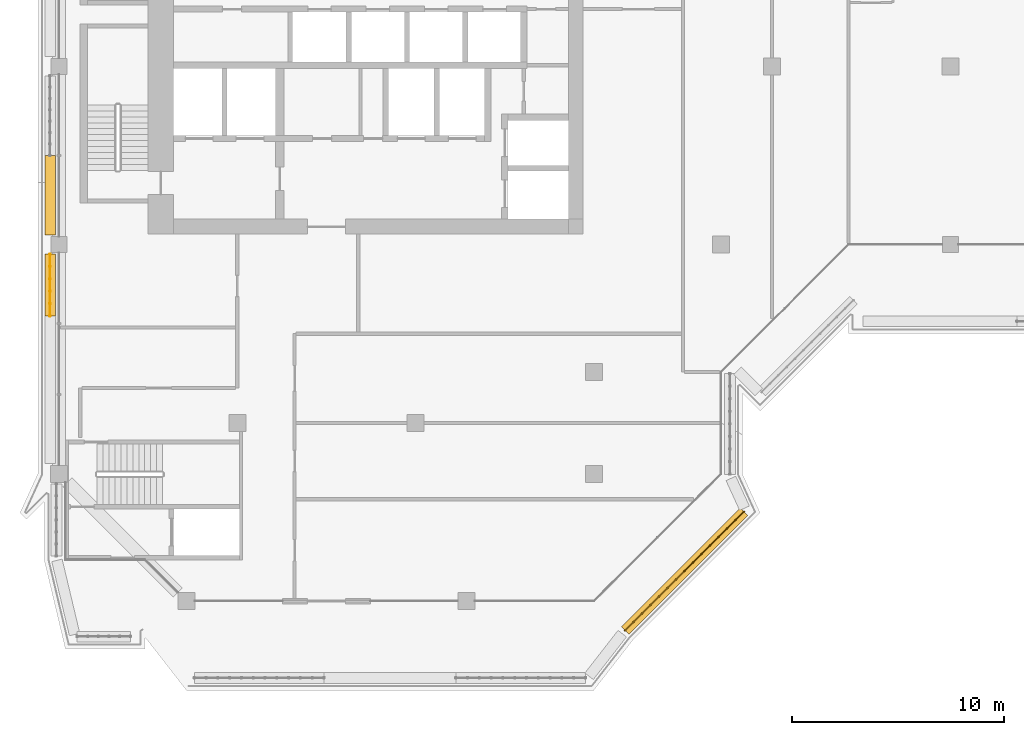
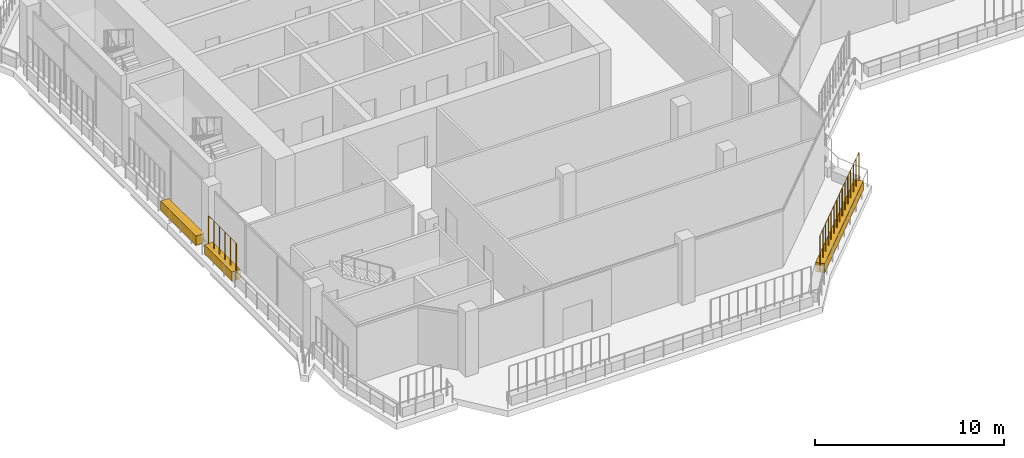
# One storey, part 15 of 20: 3 coverings, 2 railings.
"""IFC4 building model written with IfcOpenShell, lengths in metres."""

import ifcopenshell
import ifcopenshell.guid

model = None  # the IFC model being written
_history = None  # IfcOwnerHistory: only IFC2X3 demands one
_inside = {}  # id of a spatial element -> (the spatial element, [elements in it])
_under = {}  # id of a project, library or spatial element -> (it, [spatial elements below it])
_declared = {}  # id of a project -> (the project, [libraries it declares])
_typed = {}  # id of a type object -> (the type object, [elements of that type])
_made_of = {}  # id of a material, layer set ... -> (it, [elements and type objects made of it])


def new_model(schema):
    """Start an empty IFC model of exactly this schema.

    Asked for "IFC4X3", IfcOpenShell would pick the latest addendum, in which some entities
    have other attributes; the version numbers below select the first issue.
    IFC2X3 requires an IfcOwnerHistory on every rooted entity: one is made here for all.
    """
    global model, _history
    if schema == "IFC4X3":
        model = ifcopenshell.file(schema_version=(4, 3, 0, 0))
    else:
        model = ifcopenshell.file(schema=schema)
    _inside.clear()
    _under.clear()
    _declared.clear()
    _typed.clear()
    _made_of.clear()
    _history = None
    if model.schema == "IFC2X3":
        org = make("IfcOrganization", Name="unknown")
        user = make(
            "IfcPersonAndOrganization",
            ThePerson=make("IfcPerson", FamilyName="unknown"),
            TheOrganization=org,
        )
        app = make(
            "IfcApplication",
            ApplicationDeveloper=org,
            Version="unknown",
            ApplicationFullName="unknown",
            ApplicationIdentifier="unknown",
        )
        _history = make(
            "IfcOwnerHistory",
            OwningUser=user,
            OwningApplication=app,
            ChangeAction="ADDED",
            CreationDate=0,
        )
    return model


def make(cls, **values):
    """One entity of the class cls with the attributes given. An attribute that is None is left unset."""
    return model.create_entity(
        cls, **{name: value for name, value in values.items() if value is not None}
    )


def rooted(cls, **values):
    """An entity with a GlobalId (a new one), such as an element, a storey or a relation."""
    return make(cls, GlobalId=ifcopenshell.guid.new(), OwnerHistory=_history, **values)


def si_unit(unit_type, name, prefix=None):
    """IfcSIUnit, for example si_unit("LENGTHUNIT", "METRE", prefix="MILLI")."""
    return make("IfcSIUnit", UnitType=unit_type, Prefix=prefix, Name=name)


def assignment(units):
    """IfcUnitAssignment: the units of a project."""
    return None if units is None else make("IfcUnitAssignment", Units=units)


def point(xyz):
    """IfcCartesianPoint."""
    return None if xyz is None else make("IfcCartesianPoint", Coordinates=xyz)


def direction(xyz):
    """IfcDirection."""
    return None if xyz is None else make("IfcDirection", DirectionRatios=xyz)


def frame(location, z_axis=None, x_axis=None):
    """IfcAxis2Placement3D, a coordinate frame: its origin and axes. An axis left out is left unset."""
    return make(
        "IfcAxis2Placement3D",
        Location=point(location),
        Axis=direction(z_axis),
        RefDirection=direction(x_axis),
    )


def frame_2d(location, x_axis=None):
    """IfcAxis2Placement2D, a coordinate frame in the plane: its origin and x axis."""
    return make(
        "IfcAxis2Placement2D", Location=point(location), RefDirection=direction(x_axis)
    )


def origin():
    """The frame at (0, 0, 0) with its axes left unset."""
    return frame((0.0, 0.0, 0.0))


def origin_2d():
    """The frame at (0, 0) in the plane with its x axis left unset."""
    return frame_2d((0.0, 0.0))


def place(relative_to, where):
    """IfcLocalPlacement: puts the frame where relative to a parent placement (None: the world)."""
    return make(
        "IfcLocalPlacement", PlacementRelTo=relative_to, RelativePlacement=where
    )


def context(
    kind, dimensions, precision=None, world=None, true_north=None, identifier=None
):
    """IfcGeometricRepresentationContext, for example the 3D "Model" context."""
    return make(
        "IfcGeometricRepresentationContext",
        ContextIdentifier=identifier,
        ContextType=kind,
        CoordinateSpaceDimension=dimensions,
        Precision=precision,
        WorldCoordinateSystem=world,
        TrueNorth=true_north,
    )


def subcontext(parent, identifier, kind, view, scale=None):
    """IfcGeometricRepresentationSubContext, for example "Body" below "Model"."""
    return make(
        "IfcGeometricRepresentationSubContext",
        ContextIdentifier=identifier,
        ContextType=kind,
        ParentContext=parent,
        TargetScale=scale,
        TargetView=view,
    )


def project(units=None, contexts=None):
    """IfcProject with its units and contexts."""
    return rooted(
        "IfcProject",
        Name="project",
        RepresentationContexts=contexts,
        UnitsInContext=assignment(units),
    )


def spatial(cls, under=None, at=None, **own):
    """A site, building, storey or space (cls), placed at a placement, below another one or the project."""
    s = rooted(cls, ObjectPlacement=at, **own)
    if under is not None:
        _under.setdefault(under.id(), (under, []))[1].append(s)
    return s


def profile(cls, at=None, kind="AREA", **sizes):
    """A parametric profile (cls). Its sizes go by their IFC names, for example OverallWidth=200.0."""
    return make(cls, ProfileType=kind, Position=at, **sizes)


def rectangle(**sizes):
    """IfcRectangleProfileDef."""
    return profile("IfcRectangleProfileDef", **sizes)


def circle(**sizes):
    """IfcCircleProfileDef."""
    return profile("IfcCircleProfileDef", **sizes)


def extrude(swept, where, along, depth):
    """IfcExtrudedAreaSolid: the profile swept, set in the frame where, extruded along a direction by depth."""
    return make(
        "IfcExtrudedAreaSolid",
        SweptArea=swept,
        Position=where,
        ExtrudedDirection=direction(along),
        Depth=depth,
    )


def shape(context_of_items, identifier, shape_type, items):
    """IfcShapeRepresentation: the items that make up one representation, for example the "Body"."""
    return make(
        "IfcShapeRepresentation",
        ContextOfItems=context_of_items,
        RepresentationIdentifier=identifier,
        RepresentationType=shape_type,
        Items=items,
    )


def material(Name=None, Category=None):
    """IfcMaterial."""
    return make("IfcMaterial", Name=Name, Category=Category)


def material_profile(
    of_material, cross_section, Name=None, Category=None, Priority=None
):
    """IfcMaterialProfile: a cross section and its material."""
    return make(
        "IfcMaterialProfile",
        Name=Name,
        Material=of_material,
        Profile=cross_section,
        Priority=Priority,
        Category=Category,
    )


def profile_set(profiles, Name=None, composite=None):
    """IfcMaterialProfileSet."""
    return make(
        "IfcMaterialProfileSet",
        Name=Name,
        MaterialProfiles=profiles,
        CompositeProfile=composite,
    )


def made_of(thing, what):
    """Note that an element or type object is made of a material, layer set ...; save() writes the relation."""
    if what is not None:
        _made_of.setdefault(what.id(), (what, []))[1].append(thing)
    return thing


def type_object(cls, material=None, **own):
    """A type object (cls), such as IfcWallType, which elements share."""
    return made_of(rooted(cls, **own), material)


def element(
    cls,
    number,
    at=None,
    inside=None,
    cuts=None,
    type_object=None,
    material=None,
    context=None,
    identifier="Body",
    shape_type=None,
    held_by="IfcProductDefinitionShape",
    body=None,
    shapes=None,
    **own,
):
    """One element of the class cls, such as IfcWall. Its Tag is "e" and its number.

    at: its placement. inside: the storey or other place that contains it. cuts: it is an
    opening in that element (IfcRelVoidsElement). A single representation is given by context,
    identifier, shape_type and body (its items); several are given by shapes. held_by: the class
    of the entity that holds the representations. save() writes the other relations.
    """
    e = rooted(cls, Tag="e%d" % number, ObjectPlacement=at, **own)
    if body is not None:
        shapes = [shape(context, identifier, shape_type, body)]
    if shapes is not None:
        e.Representation = make(held_by, Representations=shapes)
    if inside is not None:
        _inside.setdefault(inside.id(), (inside, []))[1].append(e)
    if cuts is not None:
        rooted(
            "IfcRelVoidsElement", RelatingBuildingElement=cuts, RelatedOpeningElement=e
        )
    if type_object is not None:
        _typed.setdefault(type_object.id(), (type_object, []))[1].append(e)
    return made_of(e, material)


def aggregate(whole, parts):
    """IfcRelAggregates: a whole, such as a stair, and the parts it consists of."""
    return rooted("IfcRelAggregates", RelatingObject=whole, RelatedObjects=parts)


def save(model, path):
    """Write the relations noted so far, then the file.

    IfcRelAggregates (storeys below a building ...), IfcRelContainedInSpatialStructure (elements
    in a storey), IfcRelDefinesByType, IfcRelAssociatesMaterial and IfcRelDeclares: one each for
    every whole, place, type object, material and project.
    """
    for whole, parts in _under.values():
        aggregate(whole, parts)
    for where, things in _inside.values():
        rooted(
            "IfcRelContainedInSpatialStructure",
            RelatedElements=things,
            RelatingStructure=where,
        )
    for kind, things in _typed.values():
        rooted("IfcRelDefinesByType", RelatedObjects=things, RelatingType=kind)
    for what, things in _made_of.values():
        rooted("IfcRelAssociatesMaterial", RelatedObjects=things, RelatingMaterial=what)
    for by, libraries in _declared.values():
        rooted("IfcRelDeclares", RelatingContext=by, RelatedDefinitions=libraries)
    model.write(path)


model = new_model("IFC4")

# Units and contexts
model_context = context("Model", 3, precision=1e-05, world=origin(), true_north=direction((0.0, 1.0)))
body_context = subcontext(model_context, "Body", "Model", "MODEL_VIEW")
ifc_project = project(units=[si_unit("LENGTHUNIT", "METRE"), si_unit("AREAUNIT", "SQUARE_METRE"), si_unit("VOLUMEUNIT", "CUBIC_METRE"), si_unit("PLANEANGLEUNIT", "RADIAN"), si_unit("MASSUNIT", "GRAM", prefix="KILO")], contexts=[model_context])

# Site, building, storey
site_placement = place(None, origin())
site = spatial("IfcSite", under=ifc_project, at=site_placement, CompositionType="ELEMENT")
building_placement = place(site_placement, origin())
building = spatial("IfcBuilding", under=site, at=building_placement, Name="Kawkab Arch Medical Tower", CompositionType="ELEMENT")
storey_placement = place(building_placement, frame((0.0, 0.0, 328.0)))
storey = spatial("IfcBuildingStorey", under=building, at=storey_placement, Name="L76", CompositionType="ELEMENT", Elevation=328.0)

# Coverings
ifc_material_1 = material(Name="Planting soil in a precast trough", Category="concrete")
ifc_material_profile = material_profile(ifc_material_1, rectangle(XDim=0.5, YDim=0.60009765625, at=origin_2d()), Name="Trough 500x600")
ifc_profile_set = profile_set([ifc_material_profile], Name="Planting soil in a precast trough")
covering_type = type_object("IfcCoveringType", Name="Planter trough 500 x 600", PredefinedType="USERDEFINED", material=ifc_profile_set)
covering_1_placement = place(storey_placement, frame((-0.419921875, -28.56298828125, 0.300048828125), z_axis=(0.0, 1.0, 0.0), x_axis=(-1.0, 0.0, 0.0)))
element("IfcCovering", 1, at=covering_1_placement, inside=storey, type_object=covering_type, Name="Planter L76.LOG-01-01.5", ObjectType="PLANTER", PredefinedType="USERDEFINED", context=body_context, shape_type="SweptSolid", body=[
    extrude(rectangle(XDim=0.5, YDim=0.60009765625, at=origin_2d()), origin(), (0.0, 0.0, 1.0), 2.909912109375),
])
covering_2_placement = place(storey_placement, frame((-0.419921875, -24.7470703125, 0.300048828125), z_axis=(0.0, 1.0, 0.0), x_axis=(-1.0, 0.0, 0.0)))
element("IfcCovering", 2, at=covering_2_placement, inside=storey, type_object=covering_type, Name="Planter L76.LOG-01-01.6", ObjectType="PLANTER", PredefinedType="USERDEFINED", context=body_context, shape_type="SweptSolid", body=[
    extrude(rectangle(XDim=0.5, YDim=0.60009765625, at=origin_2d()), origin(), (0.0, 0.0, 1.0), 3.7470703125),
])
covering_3_placement = place(storey_placement, frame((32.27294921875, -37.782958984375, 0.300048828125), z_axis=(-0.707091367247, -0.70712219479, 0.0), x_axis=(0.70712219479, -0.707091367247, 0.0)))
element("IfcCovering", 3, at=covering_3_placement, inside=storey, type_object=covering_type, Name="Planter L76.LOG-01-01.33", ObjectType="PLANTER", PredefinedType="USERDEFINED", context=body_context, shape_type="SweptSolid", body=[
    extrude(rectangle(XDim=0.5, YDim=0.60009765625, at=origin_2d()), origin(), (0.0, 0.0, 1.0), 7.919677734375),
])

# Railings
ifc_material_2 = material(Name="Bronze anodised aluminium trellis for climbing plants", Category="aluminium")
railing_type = type_object("IfcRailingType", Name="Planting trellis 2400", PredefinedType="USERDEFINED", material=ifc_material_2)
railing_1_placement = place(storey_placement, frame((-0.419921875, -28.56298828125, 0.0)))
element("IfcRailing", 4, at=railing_1_placement, inside=storey, type_object=railing_type, Name="Planting trellis L76.LOG-01-01.5", ObjectType="TRELLIS", PredefinedType="USERDEFINED", context=body_context, shape_type="SweptSolid", body=[
    extrude(circle(Radius=0.01513671875, at=origin_2d()), frame((0.0, 0.0, 2.384765625), z_axis=(0.0, 1.0, 0.0), x_axis=(-1.0, 0.0, 0.0)), (0.0, 0.0, 1.0), 2.909912109375),
    extrude(circle(Radius=0.030029296875, at=origin_2d()), origin(), (0.0, 0.0, 1.0), 2.369873046875),
    extrude(circle(Radius=0.030029296875, at=origin_2d()), frame((0.0, 0.58203125, 0.0)), (0.0, 0.0, 1.0), 2.369873046875),
    extrude(circle(Radius=0.030029296875, at=origin_2d()), frame((0.0, 1.1640625, 0.0)), (0.0, 0.0, 1.0), 2.369873046875),
    extrude(circle(Radius=0.030029296875, at=origin_2d()), frame((0.0, 1.745849609375, 0.0)), (0.0, 0.0, 1.0), 2.369873046875),
    extrude(circle(Radius=0.030029296875, at=origin_2d()), frame((0.0, 2.327880859375, 0.0)), (0.0, 0.0, 1.0), 2.369873046875),
    extrude(circle(Radius=0.030029296875, at=origin_2d()), frame((0.0, 2.909912109375, 0.0)), (0.0, 0.0, 1.0), 2.369873046875),
])
railing_2_placement = place(storey_placement, frame((32.27294921875, -37.782958984375, 0.0)))
element("IfcRailing", 5, at=railing_2_placement, inside=storey, type_object=railing_type, Name="Planting trellis L76.LOG-01-01.33", ObjectType="TRELLIS", PredefinedType="USERDEFINED", context=body_context, shape_type="SweptSolid", body=[
    extrude(circle(Radius=0.01513671875, at=origin_2d()), frame((0.0, 0.0, 2.384765625), z_axis=(-0.707091367247, -0.70712219479, 0.0), x_axis=(0.70712219479, -0.707091367247, 0.0)), (0.0, 0.0, 1.0), 7.919677734375),
    extrude(circle(Radius=0.030029296875, at=origin_2d()), origin(), (0.0, 0.0, 1.0), 2.369873046875),
    extrude(circle(Radius=0.030029296875, at=origin_2d()), frame((-0.39990234375, -0.39990234375, 0.0)), (0.0, 0.0, 1.0), 2.369873046875),
    extrude(circle(Radius=0.030029296875, at=origin_2d()), frame((-0.800048828125, -0.800048828125, 0.0)), (0.0, 0.0, 1.0), 2.369873046875),
    extrude(circle(Radius=0.030029296875, at=origin_2d()), frame((-1.199951171875, -1.199951171875, 0.0)), (0.0, 0.0, 1.0), 2.369873046875),
    extrude(circle(Radius=0.030029296875, at=origin_2d()), frame((-1.599853515625, -1.60009765625, 0.0)), (0.0, 0.0, 1.0), 2.369873046875),
    extrude(circle(Radius=0.030029296875, at=origin_2d()), frame((-2.0, -2.0, 0.0)), (0.0, 0.0, 1.0), 2.369873046875),
    extrude(circle(Radius=0.030029296875, at=origin_2d()), frame((-2.39990234375, -2.400146484375, 0.0)), (0.0, 0.0, 1.0), 2.369873046875),
    extrude(circle(Radius=0.030029296875, at=origin_2d()), frame((-2.7998046875, -2.800048828125, 0.0)), (0.0, 0.0, 1.0), 2.369873046875),
    extrude(circle(Radius=0.030029296875, at=origin_2d()), frame((-3.199951171875, -3.199951171875, 0.0)), (0.0, 0.0, 1.0), 2.369873046875),
    extrude(circle(Radius=0.030029296875, at=origin_2d()), frame((-3.599853515625, -3.60009765625, 0.0)), (0.0, 0.0, 1.0), 2.369873046875),
    extrude(circle(Radius=0.030029296875, at=origin_2d()), frame((-4.0, -4.0, 0.0)), (0.0, 0.0, 1.0), 2.369873046875),
    extrude(circle(Radius=0.030029296875, at=origin_2d()), frame((-4.39990234375, -4.400146484375, 0.0)), (0.0, 0.0, 1.0), 2.369873046875),
    extrude(circle(Radius=0.030029296875, at=origin_2d()), frame((-4.7998046875, -4.800048828125, 0.0)), (0.0, 0.0, 1.0), 2.369873046875),
    extrude(circle(Radius=0.030029296875, at=origin_2d()), frame((-5.199951171875, -5.2001953125, 0.0)), (0.0, 0.0, 1.0), 2.369873046875),
    extrude(circle(Radius=0.030029296875, at=origin_2d()), frame((-5.599853515625, -5.60009765625, 0.0)), (0.0, 0.0, 1.0), 2.369873046875),
])

save(model, "model.ifc")
